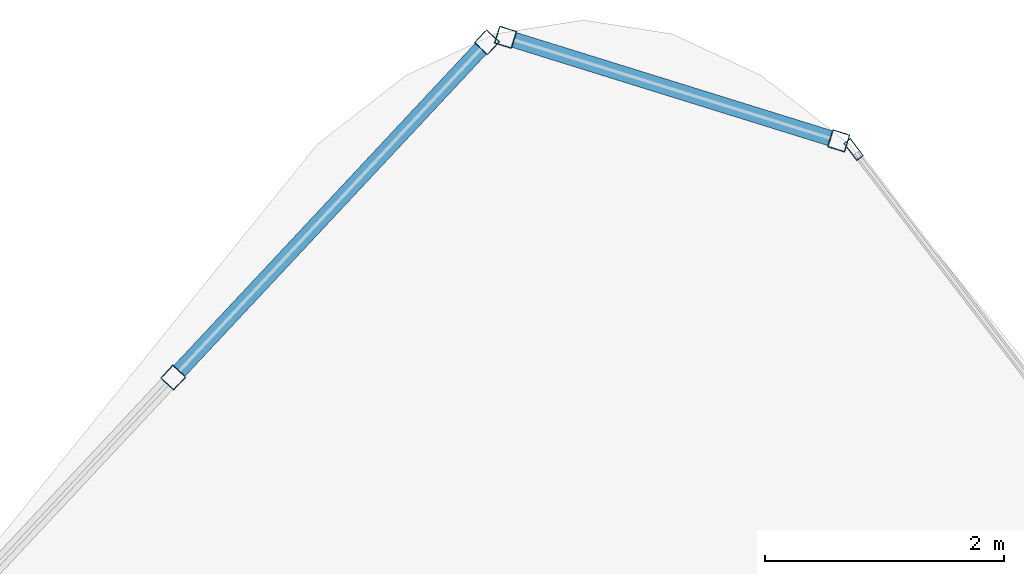
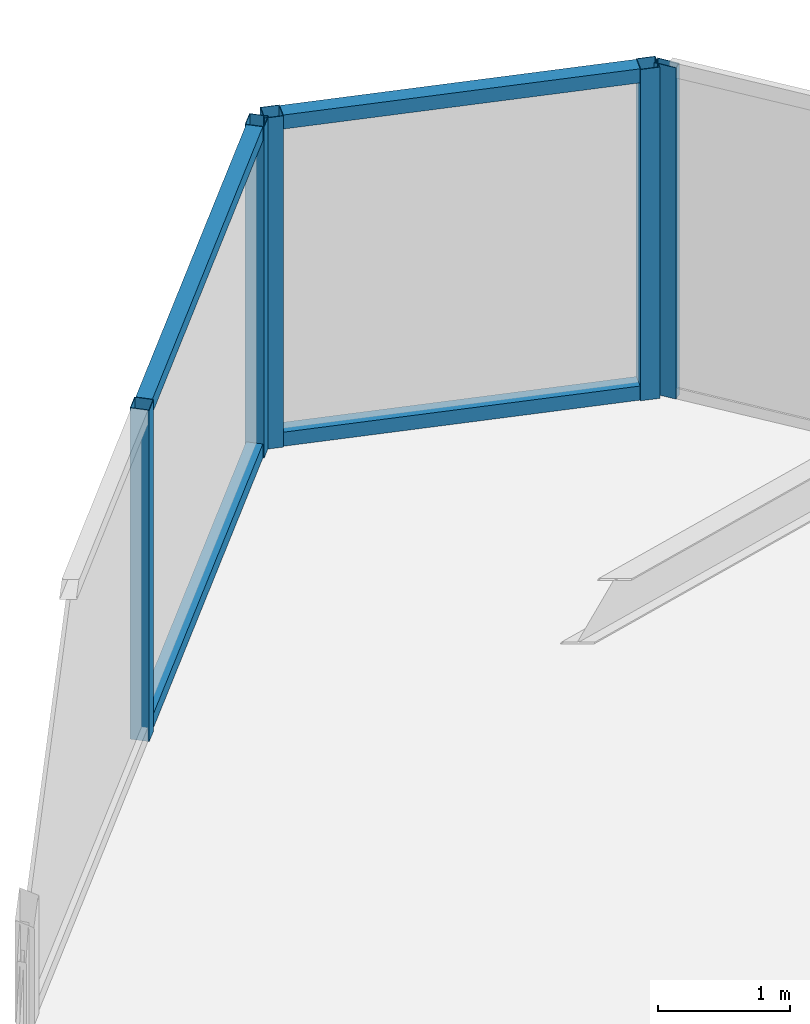
# One storey, part 24 of 34: 9 members, 3 elements without a shape of their own.
"""IFC4 building model written with IfcOpenShell, lengths in metres."""

import ifcopenshell
import ifcopenshell.guid

model = None  # the IFC model being written
_history = None  # IfcOwnerHistory: only IFC2X3 demands one
_inside = {}  # id of a spatial element -> (the spatial element, [elements in it])
_under = {}  # id of a project, library or spatial element -> (it, [spatial elements below it])
_declared = {}  # id of a project -> (the project, [libraries it declares])
_typed = {}  # id of a type object -> (the type object, [elements of that type])
_made_of = {}  # id of a material, layer set ... -> (it, [elements and type objects made of it])


def new_model(schema):
    """Start an empty IFC model of exactly this schema.

    Asked for "IFC4X3", IfcOpenShell would pick the latest addendum, in which some entities
    have other attributes; the version numbers below select the first issue.
    IFC2X3 requires an IfcOwnerHistory on every rooted entity: one is made here for all.
    """
    global model, _history
    if schema == "IFC4X3":
        model = ifcopenshell.file(schema_version=(4, 3, 0, 0))
    else:
        model = ifcopenshell.file(schema=schema)
    _inside.clear()
    _under.clear()
    _declared.clear()
    _typed.clear()
    _made_of.clear()
    _history = None
    if model.schema == "IFC2X3":
        org = make("IfcOrganization", Name="unknown")
        user = make(
            "IfcPersonAndOrganization",
            ThePerson=make("IfcPerson", FamilyName="unknown"),
            TheOrganization=org,
        )
        app = make(
            "IfcApplication",
            ApplicationDeveloper=org,
            Version="unknown",
            ApplicationFullName="unknown",
            ApplicationIdentifier="unknown",
        )
        _history = make(
            "IfcOwnerHistory",
            OwningUser=user,
            OwningApplication=app,
            ChangeAction="ADDED",
            CreationDate=0,
        )
    return model


def make(cls, **values):
    """One entity of the class cls with the attributes given. An attribute that is None is left unset."""
    return model.create_entity(
        cls, **{name: value for name, value in values.items() if value is not None}
    )


def rooted(cls, **values):
    """An entity with a GlobalId (a new one), such as an element, a storey or a relation."""
    return make(cls, GlobalId=ifcopenshell.guid.new(), OwnerHistory=_history, **values)


def si_unit(unit_type, name, prefix=None):
    """IfcSIUnit, for example si_unit("LENGTHUNIT", "METRE", prefix="MILLI")."""
    return make("IfcSIUnit", UnitType=unit_type, Prefix=prefix, Name=name)


def assignment(units):
    """IfcUnitAssignment: the units of a project."""
    return None if units is None else make("IfcUnitAssignment", Units=units)


def point(xyz):
    """IfcCartesianPoint."""
    return None if xyz is None else make("IfcCartesianPoint", Coordinates=xyz)


def direction(xyz):
    """IfcDirection."""
    return None if xyz is None else make("IfcDirection", DirectionRatios=xyz)


def frame(location, z_axis=None, x_axis=None):
    """IfcAxis2Placement3D, a coordinate frame: its origin and axes. An axis left out is left unset."""
    return make(
        "IfcAxis2Placement3D",
        Location=point(location),
        Axis=direction(z_axis),
        RefDirection=direction(x_axis),
    )


def frame_2d(location, x_axis=None):
    """IfcAxis2Placement2D, a coordinate frame in the plane: its origin and x axis."""
    return make(
        "IfcAxis2Placement2D", Location=point(location), RefDirection=direction(x_axis)
    )


def origin():
    """The frame at (0, 0, 0) with its axes left unset."""
    return frame((0.0, 0.0, 0.0))


def origin_2d():
    """The frame at (0, 0) in the plane with its x axis left unset."""
    return frame_2d((0.0, 0.0))


def place(relative_to, where):
    """IfcLocalPlacement: puts the frame where relative to a parent placement (None: the world)."""
    return make(
        "IfcLocalPlacement", PlacementRelTo=relative_to, RelativePlacement=where
    )


def context(
    kind, dimensions, precision=None, world=None, true_north=None, identifier=None
):
    """IfcGeometricRepresentationContext, for example the 3D "Model" context."""
    return make(
        "IfcGeometricRepresentationContext",
        ContextIdentifier=identifier,
        ContextType=kind,
        CoordinateSpaceDimension=dimensions,
        Precision=precision,
        WorldCoordinateSystem=world,
        TrueNorth=true_north,
    )


def subcontext(parent, identifier, kind, view, scale=None):
    """IfcGeometricRepresentationSubContext, for example "Body" below "Model"."""
    return make(
        "IfcGeometricRepresentationSubContext",
        ContextIdentifier=identifier,
        ContextType=kind,
        ParentContext=parent,
        TargetScale=scale,
        TargetView=view,
    )


def project(units=None, contexts=None):
    """IfcProject with its units and contexts."""
    return rooted(
        "IfcProject",
        Name="project",
        RepresentationContexts=contexts,
        UnitsInContext=assignment(units),
    )


def spatial(cls, under=None, at=None, **own):
    """A site, building, storey or space (cls), placed at a placement, below another one or the project."""
    s = rooted(cls, ObjectPlacement=at, **own)
    if under is not None:
        _under.setdefault(under.id(), (under, []))[1].append(s)
    return s


def profile(cls, at=None, kind="AREA", **sizes):
    """A parametric profile (cls). Its sizes go by their IFC names, for example OverallWidth=200.0."""
    return make(cls, ProfileType=kind, Position=at, **sizes)


def hollow_rectangle(**sizes):
    """IfcRectangleHollowProfileDef."""
    return profile("IfcRectangleHollowProfileDef", **sizes)


def extrude(swept, where, along, depth):
    """IfcExtrudedAreaSolid: the profile swept, set in the frame where, extruded along a direction by depth."""
    return make(
        "IfcExtrudedAreaSolid",
        SweptArea=swept,
        Position=where,
        ExtrudedDirection=direction(along),
        Depth=depth,
    )


def shape(context_of_items, identifier, shape_type, items):
    """IfcShapeRepresentation: the items that make up one representation, for example the "Body"."""
    return make(
        "IfcShapeRepresentation",
        ContextOfItems=context_of_items,
        RepresentationIdentifier=identifier,
        RepresentationType=shape_type,
        Items=items,
    )


def material(Name=None, Category=None):
    """IfcMaterial."""
    return make("IfcMaterial", Name=Name, Category=Category)


def layer(
    of_material, thickness, ventilated=None, Name=None, Category=None, Priority=None
):
    """IfcMaterialLayer: one layer of a wall or slab, of a material (None: an air gap)."""
    return make(
        "IfcMaterialLayer",
        Material=of_material,
        LayerThickness=thickness,
        IsVentilated=ventilated,
        Name=Name,
        Category=Category,
        Priority=Priority,
    )


def layer_set(layers, Name=None):
    """IfcMaterialLayerSet."""
    return make("IfcMaterialLayerSet", MaterialLayers=layers, LayerSetName=Name)


def material_profile(
    of_material, cross_section, Name=None, Category=None, Priority=None
):
    """IfcMaterialProfile: a cross section and its material."""
    return make(
        "IfcMaterialProfile",
        Name=Name,
        Material=of_material,
        Profile=cross_section,
        Priority=Priority,
        Category=Category,
    )


def profile_set(profiles, Name=None, composite=None):
    """IfcMaterialProfileSet."""
    return make(
        "IfcMaterialProfileSet",
        Name=Name,
        MaterialProfiles=profiles,
        CompositeProfile=composite,
    )


def made_of(thing, what):
    """Note that an element or type object is made of a material, layer set ...; save() writes the relation."""
    if what is not None:
        _made_of.setdefault(what.id(), (what, []))[1].append(thing)
    return thing


def type_object(cls, material=None, **own):
    """A type object (cls), such as IfcWallType, which elements share."""
    return made_of(rooted(cls, **own), material)


def element(
    cls,
    number,
    at=None,
    inside=None,
    cuts=None,
    type_object=None,
    material=None,
    context=None,
    identifier="Body",
    shape_type=None,
    held_by="IfcProductDefinitionShape",
    body=None,
    shapes=None,
    **own,
):
    """One element of the class cls, such as IfcWall. Its Tag is "e" and its number.

    at: its placement. inside: the storey or other place that contains it. cuts: it is an
    opening in that element (IfcRelVoidsElement). A single representation is given by context,
    identifier, shape_type and body (its items); several are given by shapes. held_by: the class
    of the entity that holds the representations. save() writes the other relations.
    """
    e = rooted(cls, Tag="e%d" % number, ObjectPlacement=at, **own)
    if body is not None:
        shapes = [shape(context, identifier, shape_type, body)]
    if shapes is not None:
        e.Representation = make(held_by, Representations=shapes)
    if inside is not None:
        _inside.setdefault(inside.id(), (inside, []))[1].append(e)
    if cuts is not None:
        rooted(
            "IfcRelVoidsElement", RelatingBuildingElement=cuts, RelatedOpeningElement=e
        )
    if type_object is not None:
        _typed.setdefault(type_object.id(), (type_object, []))[1].append(e)
    return made_of(e, material)


def aggregate(whole, parts):
    """IfcRelAggregates: a whole, such as a stair, and the parts it consists of."""
    return rooted("IfcRelAggregates", RelatingObject=whole, RelatedObjects=parts)


def save(model, path):
    """Write the relations noted so far, then the file.

    IfcRelAggregates (storeys below a building ...), IfcRelContainedInSpatialStructure (elements
    in a storey), IfcRelDefinesByType, IfcRelAssociatesMaterial and IfcRelDeclares: one each for
    every whole, place, type object, material and project.
    """
    for whole, parts in _under.values():
        aggregate(whole, parts)
    for where, things in _inside.values():
        rooted(
            "IfcRelContainedInSpatialStructure",
            RelatedElements=things,
            RelatingStructure=where,
        )
    for kind, things in _typed.values():
        rooted("IfcRelDefinesByType", RelatedObjects=things, RelatingType=kind)
    for what, things in _made_of.values():
        rooted("IfcRelAssociatesMaterial", RelatedObjects=things, RelatingMaterial=what)
    for by, libraries in _declared.values():
        rooted("IfcRelDeclares", RelatingContext=by, RelatedDefinitions=libraries)
    model.write(path)


model = new_model("IFC4")

# Units and contexts
model_context = context("Model", 3, precision=1e-05, world=origin(), true_north=direction((0.0, 1.0)))
body_context = subcontext(model_context, "Body", "Model", "MODEL_VIEW")
ifc_project = project(units=[si_unit("LENGTHUNIT", "METRE"), si_unit("AREAUNIT", "SQUARE_METRE"), si_unit("VOLUMEUNIT", "CUBIC_METRE"), si_unit("PLANEANGLEUNIT", "RADIAN"), si_unit("MASSUNIT", "GRAM", prefix="KILO")], contexts=[model_context])

# Site, building, storey
site_placement = place(None, origin())
site = spatial("IfcSite", under=ifc_project, at=site_placement, CompositionType="ELEMENT")
building_placement = place(site_placement, origin())
building = spatial("IfcBuilding", under=site, at=building_placement, Name="Orvanel Arch Residences", CompositionType="ELEMENT")
storey_placement = place(building_placement, frame((0.0, 0.0, 74.14990234375)))
storey = spatial("IfcBuildingStorey", under=building, at=storey_placement, Name="L20", CompositionType="ELEMENT", Elevation=74.14990234375)

# Curtain wall, members
ifc_material = material(Name="Bronze-anodised aluminium AA6063-T6", Category="aluminium")
ifc_layer_1 = layer(ifc_material, 0.18994140625)
ifc_layer_set_1 = layer_set([ifc_layer_1], Name="Bronze-anodised aluminium AA6063-T6")
curtain_wall_type_1 = type_object("IfcCurtainWallType", Name="CW5-CRN-SYS", PredefinedType="NOTDEFINED", material=ifc_layer_set_1)
curtain_wall_1_placement = place(storey_placement, origin())
curtain_wall_1 = element("IfcCurtainWall", 1, at=curtain_wall_1_placement, inside=storey, type_object=curtain_wall_type_1, Name="L20 CW5-CRN-SYS Unitised Curtain Wall", PredefinedType="NOTDEFINED")
ifc_material_profile_1 = material_profile(ifc_material, hollow_rectangle(XDim=0.14990234375, YDim=0.14990234375, WallThickness=0.0048828125, at=origin_2d()), Name="ALU150x150x5")
ifc_profile_set_1 = profile_set([ifc_material_profile_1], Name="Bronze-anodised aluminium AA6063-T6")
member_type_1 = type_object("IfcMemberType", Name="MUL-150x150", PredefinedType="MULLION", material=ifc_profile_set_1)
member_1_placement = place(storey_placement, frame((35.13427734375, 50.044189453125, 0.0), z_axis=(0.0, 0.0, 1.0), x_axis=(-0.296993893392, -0.954879378397, 0.0)))
member_1 = element("IfcMember", 2, at=member_1_placement, type_object=member_type_1, Name="CW-S5 mullion 1", PredefinedType="MULLION", context=body_context, shape_type="SweptSolid", body=[
    extrude(hollow_rectangle(XDim=0.14990234375, YDim=0.14990234375, WallThickness=0.0048828125, at=origin_2d()), origin(), (0.0, 0.0, 1.0), 3.06005859375),
])
member_2_placement = place(storey_placement, frame((32.3486328125, 50.91064453125, 0.0), z_axis=(0.0, 0.0, 1.0), x_axis=(-0.296993893392, -0.954879378397, 0.0)))
member_2 = element("IfcMember", 3, at=member_2_placement, type_object=member_type_1, Name="CW-S5 mullion 2", PredefinedType="MULLION", context=body_context, shape_type="SweptSolid", body=[
    extrude(hollow_rectangle(XDim=0.14990234375, YDim=0.14990234375, WallThickness=0.0048828125, at=origin_2d()), origin(), (0.0, 0.0, 1.0), 3.06005859375),
])

curtain_wall_2_placement = place(storey_placement, origin())
curtain_wall_2 = element("IfcCurtainWall", 4, at=curtain_wall_2_placement, inside=storey, type_object=curtain_wall_type_1, Name="L20 CW5-CRN-SYS Unitised Curtain Wall", PredefinedType="NOTDEFINED")
member_3_placement = place(storey_placement, frame((32.19287109375, 50.869140625, 0.0), z_axis=(0.0, 0.0, 1.0), x_axis=(0.730281692072, -0.683146141191, 0.0)))
member_3 = element("IfcMember", 5, at=member_3_placement, type_object=member_type_1, Name="CW-S5 mullion 1", PredefinedType="MULLION", context=body_context, shape_type="SweptSolid", body=[
    extrude(hollow_rectangle(XDim=0.14990234375, YDim=0.14990234375, WallThickness=0.0048828125, at=origin_2d()), origin(), (0.0, 0.0, 1.0), 3.06005859375),
])
member_4_placement = place(storey_placement, frame((29.570068359375, 48.0654296875, 0.0), z_axis=(0.0, 0.0, 1.0), x_axis=(0.730281692072, -0.683146141191, 0.0)))
member_4 = element("IfcMember", 6, at=member_4_placement, type_object=member_type_1, Name="CW-S5 mullion 2", PredefinedType="MULLION", context=body_context, shape_type="SweptSolid", body=[
    extrude(hollow_rectangle(XDim=0.14990234375, YDim=0.14990234375, WallThickness=0.0048828125, at=origin_2d()), origin(), (0.0, 0.0, 1.0), 3.06005859375),
])

# Curtain wall, member
ifc_layer_2 = layer(ifc_material, 0.179931640625)
ifc_layer_set_2 = layer_set([ifc_layer_2], Name="Bronze-anodised aluminium AA6063-T6")
curtain_wall_type_2 = type_object("IfcCurtainWallType", Name="CW2-LOW-SYS", PredefinedType="NOTDEFINED", material=ifc_layer_set_2)
curtain_wall_3_placement = place(storey_placement, origin())
curtain_wall_3 = element("IfcCurtainWall", 7, at=curtain_wall_3_placement, inside=storey, type_object=curtain_wall_type_2, Name="L20 CW2-LOW-SYS Unitised Curtain Wall", PredefinedType="NOTDEFINED")
ifc_material_profile_2 = material_profile(ifc_material, hollow_rectangle(XDim=0.070068359375, YDim=0.179931640625, WallThickness=0.00439453125, at=origin_2d()), Name="ALU180x70x4.5")
ifc_profile_set_2 = profile_set([ifc_material_profile_2], Name="Bronze-anodised aluminium AA6063-T6")
member_type_2 = type_object("IfcMemberType", Name="MUL-180x70", PredefinedType="MULLION", material=ifc_profile_set_2)
member_5_placement = place(storey_placement, frame((35.25830078125, 49.97216796875, 0.0), z_axis=(0.0, 0.0, 1.0), x_axis=(-0.794739834664, -0.606950241122, 0.0)))
member_5 = element("IfcMember", 8, at=member_5_placement, type_object=member_type_2, Name="CW-S2 mullion 4", PredefinedType="MULLION", context=body_context, shape_type="SweptSolid", body=[
    extrude(hollow_rectangle(XDim=0.070068359375, YDim=0.179931640625, WallThickness=0.00439453125, at=origin_2d()), origin(), (0.0, 0.0, 1.0), 3.06005859375),
])
aggregate(curtain_wall_3, [member_5])

# Member
ifc_material_profile_3 = material_profile(ifc_material, hollow_rectangle(XDim=0.1298828125, YDim=0.1298828125, WallThickness=0.00439453125, at=origin_2d()), Name="ALU130x130x4.5")
ifc_profile_set_3 = profile_set([ifc_material_profile_3], Name="Bronze-anodised aluminium AA6063-T6")
member_type_3 = type_object("IfcMemberType", Name="TRN-130x130", PredefinedType="USERDEFINED", material=ifc_profile_set_3)
member_6_placement = place(storey_placement, frame((35.062744140625, 50.066650390625, 0.065185546875), z_axis=(-0.954893471113, 0.296948579431, 0.0), x_axis=(-0.296948579431, -0.954893471113, 0.0)))
member_6 = element("IfcMember", 9, at=member_6_placement, type_object=member_type_3, Name="CW-S5 transom 1.1", ObjectType="TRANSOM", PredefinedType="USERDEFINED", context=body_context, shape_type="SweptSolid", body=[
    extrude(hollow_rectangle(XDim=0.1298828125, YDim=0.1298828125, WallThickness=0.00439453125, at=origin_2d()), origin(), (0.0, 0.0, 1.0), 2.767333984375),
])

member_7_placement = place(storey_placement, frame((35.062744140625, 50.066650390625, 2.9951171875), z_axis=(-0.954893471113, 0.296948579431, 0.0), x_axis=(-0.296948579431, -0.954893471113, 0.0)))
member_7 = element("IfcMember", 10, at=member_7_placement, type_object=member_type_3, Name="CW-S5 transom 1.2", ObjectType="TRANSOM", PredefinedType="USERDEFINED", context=body_context, shape_type="SweptSolid", body=[
    extrude(hollow_rectangle(XDim=0.1298828125, YDim=0.1298828125, WallThickness=0.00439453125, at=origin_2d()), origin(), (0.0, 0.0, 1.0), 2.767333984375),
])

aggregate(curtain_wall_1, [member_1, member_2, member_6, member_7])

member_8_placement = place(storey_placement, frame((32.1416015625, 50.814453125, 0.065185546875), z_axis=(-0.68315485184, -0.730273543549, 0.0), x_axis=(0.730273543549, -0.68315485184, 0.0)))
member_8 = element("IfcMember", 11, at=member_8_placement, type_object=member_type_3, Name="CW-S5 transom 1.1", ObjectType="TRANSOM", PredefinedType="USERDEFINED", context=body_context, shape_type="SweptSolid", body=[
    extrude(hollow_rectangle(XDim=0.1298828125, YDim=0.1298828125, WallThickness=0.00439453125, at=origin_2d()), origin(), (0.0, 0.0, 1.0), 3.689208984375),
])

member_9_placement = place(storey_placement, frame((32.1416015625, 50.814453125, 2.9951171875), z_axis=(-0.68315485184, -0.730273543549, 0.0), x_axis=(0.730273543549, -0.68315485184, 0.0)))
member_9 = element("IfcMember", 12, at=member_9_placement, type_object=member_type_3, Name="CW-S5 transom 1.2", ObjectType="TRANSOM", PredefinedType="USERDEFINED", context=body_context, shape_type="SweptSolid", body=[
    extrude(hollow_rectangle(XDim=0.1298828125, YDim=0.1298828125, WallThickness=0.00439453125, at=origin_2d()), origin(), (0.0, 0.0, 1.0), 3.689208984375),
])

aggregate(curtain_wall_2, [member_3, member_4, member_8, member_9])

save(model, "model.ifc")
